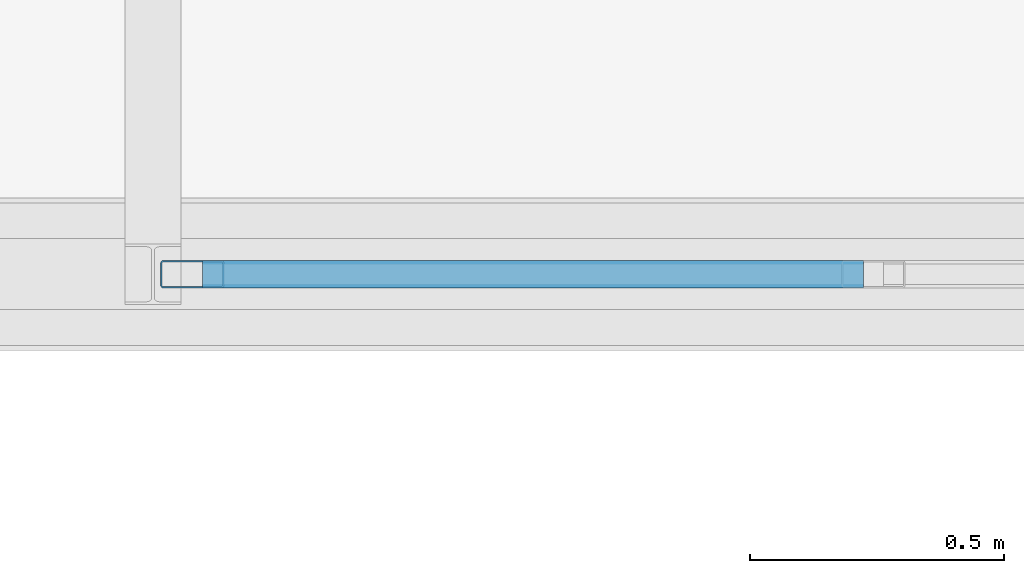
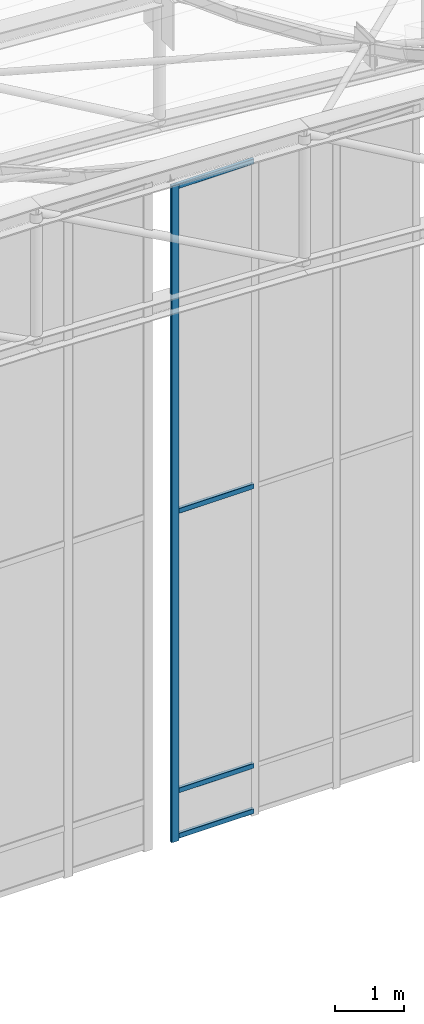
# One storey, part 60 of 262: 5 members, 1 element without a shape of its own.
"""IFC4 building model written with IfcOpenShell, lengths in metres."""

from ifc_helpers import new_model, si_unit, derived_unit, direction, frame, origin, origin_2d, place, context, subcontext, project, spatial, hollow_rectangle, extrude, material, layer, layer_set, material_profile, profile_set, type_object, element, aggregate, save


model = new_model("IFC4")

# Units and contexts
model_context = context("Model", 3, precision=1e-05, world=origin(), true_north=direction((0.0, 1.0)))
body_context = subcontext(model_context, "Body", "Model", "MODEL_VIEW")
ifc_project = project(units=[si_unit("LENGTHUNIT", "METRE"), si_unit("AREAUNIT", "SQUARE_METRE"), si_unit("VOLUMEUNIT", "CUBIC_METRE"), si_unit("PLANEANGLEUNIT", "RADIAN"), si_unit("MASSUNIT", "GRAM", prefix="KILO"), derived_unit("THERMALTRANSMITTANCEUNIT", [(si_unit("POWERUNIT", "WATT"), 1), (si_unit("LENGTHUNIT", "METRE"), -2), (si_unit("THERMODYNAMICTEMPERATUREUNIT", "KELVIN"), -1)])], contexts=[model_context])

# Site, building, storey
site_placement = place(None, origin())
site = spatial("IfcSite", under=ifc_project, at=site_placement, CompositionType="ELEMENT")
building_placement = place(site_placement, origin())
building = spatial("IfcBuilding", under=site, at=building_placement, Name="Almenara Railside Exhibition Hall", CompositionType="ELEMENT")
storey_placement = place(building_placement, frame((0.0, 0.0, 21.699951171875)))
storey = spatial("IfcBuildingStorey", under=building, at=storey_placement, Name="RF", CompositionType="ELEMENT", Elevation=21.699951171875)

# Curtain wall, members
ifc_material_1 = material(Name="Bronze-anodised aluminium and low-E double glazing", Category="aluminium")
ifc_layer = layer(ifc_material_1, 0.179931640625, Name="Bronze-anodised aluminium and low-E double glazing")
ifc_layer_set = layer_set([ifc_layer], Name="Bronze-anodised aluminium and low-E double glazing")
curtain_wall_type = type_object("IfcCurtainWallType", Name="Scroll Gable Tall Curtain Wall 3800x5400", PredefinedType="NOTDEFINED", material=ifc_layer_set)
curtain_wall_placement = place(storey_placement, origin())
curtain_wall = element("IfcCurtainWall", 1, at=curtain_wall_placement, inside=storey, type_object=curtain_wall_type, Name="Curtain wall CW-G1-203", PredefinedType="NOTDEFINED")
ifc_material_2 = material(Name="Bronze-anodised aluminium", Category="aluminium")
ifc_material_profile_1 = material_profile(ifc_material_2, hollow_rectangle(XDim=0.054931640625, YDim=0.125, WallThickness=0.0029296875, InnerFilletRadius=0.0029296875, OuterFilletRadius=0.006103515625, at=origin_2d()), Name="ALU-MUL 55x125x3")
ifc_profile_set_1 = profile_set([ifc_material_profile_1], Name="Bronze-anodised aluminium")
member_type_1 = type_object("IfcMemberType", Name="Curtain Wall Mullion 55x125x3", PredefinedType="MULLION", material=ifc_profile_set_1)
member_1_placement = place(storey_placement, frame((45.827392578125, 48.0, -0.93505859375), z_axis=(0.0, 0.0, 1.0), x_axis=(0.0, 1.0, 0.0)))
member_1 = element("IfcMember", 2, at=member_1_placement, type_object=member_type_1, Name="CW-G1-203 mullion 1", PredefinedType="MULLION", context=body_context, shape_type="SweptSolid", body=[
    extrude(hollow_rectangle(XDim=0.054931640625, YDim=0.125, WallThickness=0.0029296875, InnerFilletRadius=0.0029296875, OuterFilletRadius=0.006103515625, at=origin_2d()), origin(), (0.0, 0.0, 1.0), 11.64501953125),
])
ifc_material_profile_2 = material_profile(ifc_material_2, hollow_rectangle(XDim=0.054931640625, YDim=0.090087890625, WallThickness=0.0029296875, InnerFilletRadius=0.0029296875, OuterFilletRadius=0.006103515625, at=origin_2d()), Name="ALU-TRN 55x90x3")
ifc_profile_set_2 = profile_set([ifc_material_profile_2], Name="Bronze-anodised aluminium")
member_type_2 = type_object("IfcMemberType", Name="Curtain Wall Transom 55x90x3", PredefinedType="USERDEFINED", material=ifc_profile_set_2)
member_2_placement = place(storey_placement, frame((45.846923828125, 48.0, -0.85498046875), z_axis=(1.0, 0.0, 0.0), x_axis=(0.0, 1.0, 0.0)))
member_2 = element("IfcMember", 3, at=member_2_placement, type_object=member_type_2, Name="CW-G1-203 transom 1.1", ObjectType="TRANSOM", PredefinedType="USERDEFINED", context=body_context, shape_type="SweptSolid", body=[
    extrude(hollow_rectangle(XDim=0.054931640625, YDim=0.090087890625, WallThickness=0.0029296875, InnerFilletRadius=0.0029296875, OuterFilletRadius=0.006103515625, at=origin_2d()), origin(), (0.0, 0.0, 1.0), 1.30029296875),
])
member_3_placement = place(storey_placement, frame((45.846923828125, 48.0, -0.050048828125), z_axis=(1.0, 0.0, 0.0), x_axis=(0.0, 1.0, 0.0)))
member_3 = element("IfcMember", 4, at=member_3_placement, type_object=member_type_2, Name="CW-G1-203 transom 1.2", ObjectType="TRANSOM", PredefinedType="USERDEFINED", context=body_context, shape_type="SweptSolid", body=[
    extrude(hollow_rectangle(XDim=0.054931640625, YDim=0.090087890625, WallThickness=0.0029296875, InnerFilletRadius=0.0029296875, OuterFilletRadius=0.006103515625, at=origin_2d()), origin(), (0.0, 0.0, 1.0), 1.30029296875),
])
member_4_placement = place(storey_placement, frame((45.846923828125, 48.0, 4.905029296875), z_axis=(1.0, 0.0, 0.0), x_axis=(0.0, 1.0, 0.0)))
member_4 = element("IfcMember", 5, at=member_4_placement, type_object=member_type_2, Name="CW-G1-203 transom 1.3", ObjectType="TRANSOM", PredefinedType="USERDEFINED", context=body_context, shape_type="SweptSolid", body=[
    extrude(hollow_rectangle(XDim=0.054931640625, YDim=0.090087890625, WallThickness=0.0029296875, InnerFilletRadius=0.0029296875, OuterFilletRadius=0.006103515625, at=origin_2d()), origin(), (0.0, 0.0, 1.0), 1.30029296875),
])
member_5_placement = place(storey_placement, frame((45.846923828125, 48.0, 10.6650390625), z_axis=(1.0, 0.0, 0.0), x_axis=(0.0, 1.0, 0.0)))
member_5 = element("IfcMember", 6, at=member_5_placement, type_object=member_type_2, Name="CW-G1-203 transom 1.4", ObjectType="TRANSOM", PredefinedType="USERDEFINED", context=body_context, shape_type="SweptSolid", body=[
    extrude(hollow_rectangle(XDim=0.054931640625, YDim=0.090087890625, WallThickness=0.0029296875, InnerFilletRadius=0.0029296875, OuterFilletRadius=0.006103515625, at=origin_2d()), origin(), (0.0, 0.0, 1.0), 1.30029296875),
])
aggregate(curtain_wall, [member_1, member_2, member_3, member_4, member_5])

save(model, "model.ifc")
